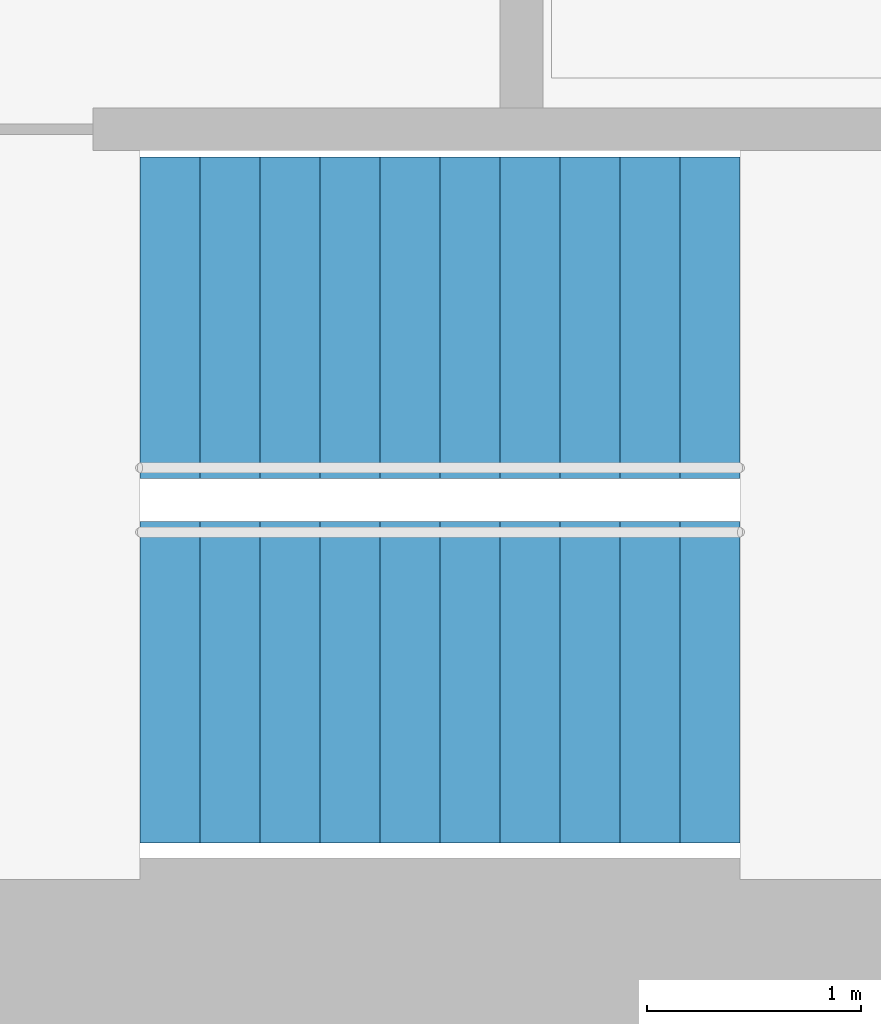
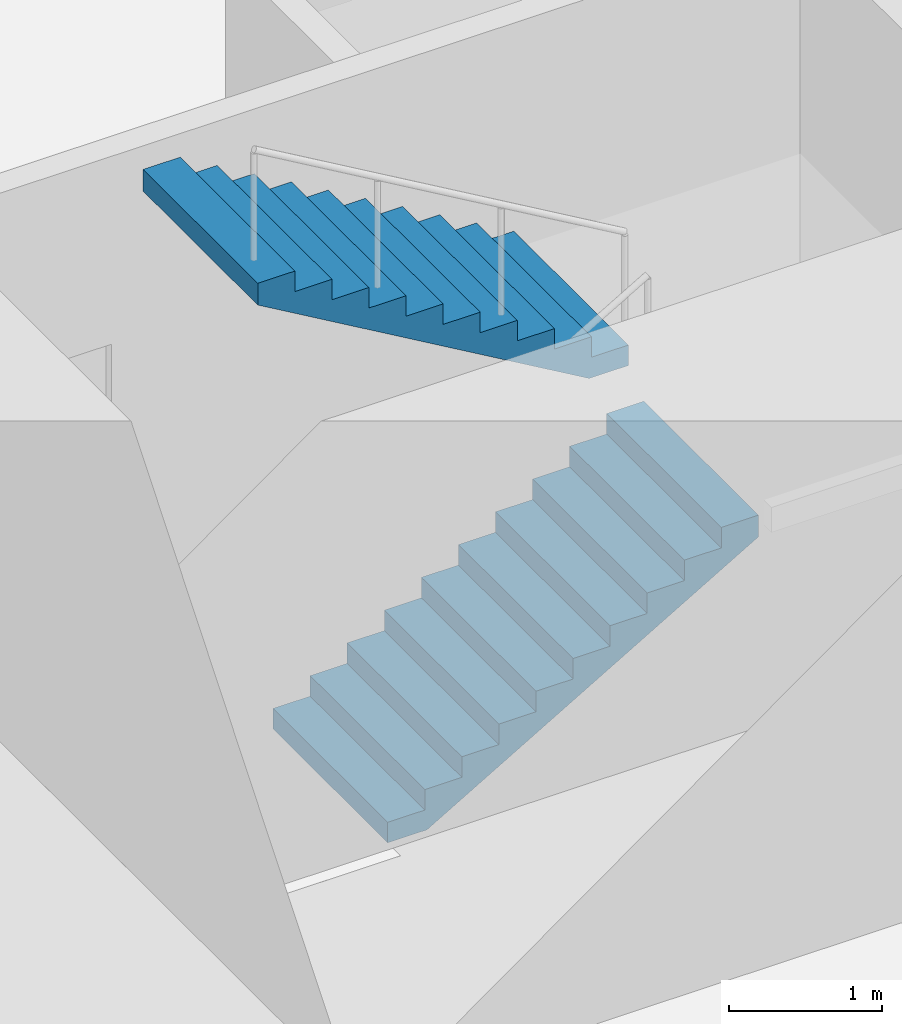
# One storey, part 13 of 15: 2 stair flights, 1 element without a shape of its own.
"""IFC4 building model written with IfcOpenShell, lengths in metres."""

from ifc_helpers import new_model, si_unit, direction, frame, origin, place, context, subcontext, project, spatial, triangles, material, type_object, element, aggregate, save


model = new_model("IFC4")

# Units and contexts
model_context = context("Model", 3, precision=1e-05, world=origin(), true_north=direction((0.0, 1.0)))
body_context = subcontext(model_context, "Body", "Model", "MODEL_VIEW")
ifc_project = project(units=[si_unit("LENGTHUNIT", "METRE"), si_unit("AREAUNIT", "SQUARE_METRE"), si_unit("VOLUMEUNIT", "CUBIC_METRE"), si_unit("PLANEANGLEUNIT", "RADIAN"), si_unit("MASSUNIT", "GRAM", prefix="KILO")], contexts=[model_context])

# Site, building, storey
site_placement = place(None, origin())
site = spatial("IfcSite", under=ifc_project, at=site_placement, CompositionType="ELEMENT")
building_placement = place(site_placement, origin())
building = spatial("IfcBuilding", under=site, at=building_placement, Name="Lantaw Convention Tower", CompositionType="ELEMENT")
storey_placement = place(building_placement, frame((0.0, 0.0, 44.199951171875)))
storey = spatial("IfcBuildingStorey", under=building, at=storey_placement, Name="L08", CompositionType="ELEMENT", Elevation=44.199951171875)

# Stair, stair flights
ifc_material = material(Name="Concrete C35/45", Category="concrete")
stair_type = type_object("IfcStairType", Name="Exit stair 1500 riser 163.64 in 2 flights", PredefinedType="HALF_TURN_STAIR", material=ifc_material)
stair_placement = place(storey_placement, origin())
stair = element("IfcStair", 1, at=stair_placement, inside=storey, type_object=stair_type, Name="Exit stair S1 L08", PredefinedType="HALF_TURN_STAIR")
stair_flight_type = type_object("IfcStairFlightType", Name="Stair flight 1500 riser 163.64", PredefinedType="STRAIGHT", material=ifc_material)
stair_flight_1_placement = place(storey_placement, frame((-10.580078125, -5.97998046875, 0.0), z_axis=(0.0, 0.0, 1.0), x_axis=(1.0, 0.0, 0.0)))
stair_flight_1 = element("IfcStairFlight", 2, at=stair_flight_1_placement, type_object=stair_flight_type, Name="S1 flight 1", NumberOfRisers=11, NumberOfTreads=10, PredefinedType="STRAIGHT", RiserHeight=0.163636364, TreadLength=0.28, context=body_context, shape_type="Tessellation", body=[
    triangles([(0.0, 0.75, 0.0), (0.0, 0.75, 0.163636364), (0.28, 0.75, 0.0), (0.28, 0.75, 0.163636364), (0.28, 0.75, 0.327272728), (0.2970904571225277, 0.75, 0.0), (0.2970904571225277, 0.75, 0.327272728), (0.56, 0.75, 0.1536484344906131), (0.56, 0.75, 0.327272728), (0.56, 0.75, 0.490909092), (0.8400000000000001, 0.75, 0.3172847984906131), (0.8400000000000001, 0.75, 0.490909092), (0.8400000000000001, 0.75, 0.654545456), (1.12, 0.75, 0.4809211624906131), (1.12, 0.75, 0.654545456), (1.12, 0.75, 0.8181818200000001), (1.4000000000000001, 0.75, 0.6445575264906132), (1.4000000000000001, 0.75, 0.8181818200000001), (1.4000000000000001, 0.75, 0.981818184), (1.6800000000000002, 0.75, 0.8081938904906131), (1.6800000000000002, 0.75, 0.981818184), (1.6800000000000002, 0.75, 1.145454548), (1.9600000000000002, 0.75, 0.9718302544906131), (1.9600000000000002, 0.75, 1.145454548), (1.9600000000000002, 0.75, 1.309090912), (2.24, 0.75, 1.135466618490613), (2.24, 0.75, 1.309090912), (2.24, 0.75, 1.472727276), (2.5200000000000005, 0.75, 1.2991029824906133), (2.5200000000000005, 0.75, 1.472727276), (2.5200000000000005, 0.75, 1.6363636400000001), (2.8000000000000003, 0.75, 1.462739346490613), (2.8000000000000003, 0.75, 1.6363636400000001), (0.0, -0.75, 0.0), (0.0, -0.75, 0.163636364), (0.28, -0.75, 0.0), (0.28, -0.75, 0.163636364), (0.28, -0.75, 0.327272728), (0.2970904571225277, -0.75, 0.0), (0.2970904571225277, -0.75, 0.327272728), (0.56, -0.75, 0.1536484344906131), (0.56, -0.75, 0.327272728), (0.56, -0.75, 0.490909092), (0.8400000000000001, -0.75, 0.3172847984906131), (0.8400000000000001, -0.75, 0.490909092), (0.8400000000000001, -0.75, 0.654545456), (1.12, -0.75, 0.4809211624906131), (1.12, -0.75, 0.654545456), (1.12, -0.75, 0.8181818200000001), (1.4000000000000001, -0.75, 0.6445575264906132), (1.4000000000000001, -0.75, 0.8181818200000001), (1.4000000000000001, -0.75, 0.981818184), (1.6800000000000002, -0.75, 0.8081938904906131), (1.6800000000000002, -0.75, 0.981818184), (1.6800000000000002, -0.75, 1.145454548), (1.9600000000000002, -0.75, 0.9718302544906131), (1.9600000000000002, -0.75, 1.145454548), (1.9600000000000002, -0.75, 1.309090912), (2.24, -0.75, 1.135466618490613), (2.24, -0.75, 1.309090912), (2.24, -0.75, 1.472727276), (2.5200000000000005, -0.75, 1.2991029824906133), (2.5200000000000005, -0.75, 1.472727276), (2.5200000000000005, -0.75, 1.6363636400000001), (2.8000000000000003, -0.75, 1.462739346490613), (2.8000000000000003, -0.75, 1.6363636400000001), (0.0, 0.15000000000000002, 0.163636364), (0.0, 0.15000000000000002, 0.0), (0.0, 0.0, 0.163636364), (0.0, 0.0, 0.0), (0.0, -0.15000000000000002, 0.163636364), (0.0, -0.15000000000000002, 0.0), (0.28, 0.15000000000000002, 0.327272728), (0.28, 0.15000000000000002, 0.163636364), (0.28, 0.0, 0.327272728), (0.28, 0.0, 0.163636364), (0.28, -0.15000000000000002, 0.327272728), (0.28, -0.15000000000000002, 0.163636364), (0.56, 0.15000000000000002, 0.490909092), (0.56, 0.15000000000000002, 0.327272728), (0.56, 0.0, 0.490909092), (0.56, 0.0, 0.327272728), (0.56, -0.15000000000000002, 0.490909092), (0.56, -0.15000000000000002, 0.327272728), (0.8400000000000001, 0.15000000000000002, 0.654545456), (0.8400000000000001, 0.15000000000000002, 0.490909092), (0.8400000000000001, 0.0, 0.654545456), (0.8400000000000001, 0.0, 0.490909092), (0.8400000000000001, -0.15000000000000002, 0.654545456), (0.8400000000000001, -0.15000000000000002, 0.490909092), (1.12, 0.15000000000000002, 0.8181818200000001), (1.12, 0.15000000000000002, 0.654545456), (1.12, 0.0, 0.8181818200000001), (1.12, 0.0, 0.654545456), (1.12, -0.15000000000000002, 0.8181818200000001), (1.12, -0.15000000000000002, 0.654545456), (1.4000000000000001, 0.15000000000000002, 0.981818184), (1.4000000000000001, 0.15000000000000002, 0.8181818200000001), (1.4000000000000001, 0.0, 0.981818184), (1.4000000000000001, 0.0, 0.8181818200000001), (1.4000000000000001, -0.15000000000000002, 0.981818184), (1.4000000000000001, -0.15000000000000002, 0.8181818200000001), (1.6800000000000002, 0.15000000000000002, 1.145454548), (1.6800000000000002, 0.15000000000000002, 0.981818184), (1.6800000000000002, 0.0, 1.145454548), (1.6800000000000002, 0.0, 0.981818184), (1.6800000000000002, -0.15000000000000002, 1.145454548), (1.6800000000000002, -0.15000000000000002, 0.981818184), (1.9600000000000002, 0.15000000000000002, 1.309090912), (1.9600000000000002, 0.15000000000000002, 1.145454548), (1.9600000000000002, 0.0, 1.309090912), (1.9600000000000002, 0.0, 1.145454548), (1.9600000000000002, -0.15000000000000002, 1.309090912), (1.9600000000000002, -0.15000000000000002, 1.145454548), (2.24, 0.15000000000000002, 1.472727276), (2.24, 0.15000000000000002, 1.309090912), (2.24, 0.0, 1.472727276), (2.24, 0.0, 1.309090912), (2.24, -0.15000000000000002, 1.472727276), (2.24, -0.15000000000000002, 1.309090912), (2.5200000000000005, 0.15000000000000002, 1.6363636400000001), (2.5200000000000005, 0.15000000000000002, 1.472727276), (2.5200000000000005, 0.0, 1.6363636400000001), (2.5200000000000005, 0.0, 1.472727276), (2.5200000000000005, -0.15000000000000002, 1.6363636400000001), (2.5200000000000005, -0.15000000000000002, 1.472727276), (0.2970904571225277, 0.15000000000000002, 0.327272728), (0.2970904571225277, 0.0, 0.327272728), (0.2970904571225277, -0.15000000000000002, 0.327272728), (2.8000000000000003, 0.15000000000000002, 1.6363636400000001), (2.8000000000000003, 0.0, 1.6363636400000001), (2.8000000000000003, -0.15000000000000002, 1.6363636400000001), (2.8000000000000003, 0.15000000000000002, 1.462739346490613), (2.8000000000000003, 0.0, 1.462739346490613), (2.8000000000000003, -0.15000000000000002, 1.462739346490613), (2.5200000000000005, 0.15000000000000002, 1.2991029824906133), (2.5200000000000005, 0.0, 1.2991029824906133), (2.5200000000000005, -0.15000000000000002, 1.2991029824906133), (2.24, 0.15000000000000002, 1.135466618490613), (2.24, 0.0, 1.135466618490613), (2.24, -0.15000000000000002, 1.135466618490613), (1.9600000000000002, 0.15000000000000002, 0.9718302544906131), (1.9600000000000002, 0.0, 0.9718302544906131), (1.9600000000000002, -0.15000000000000002, 0.9718302544906131), (1.6800000000000002, 0.15000000000000002, 0.8081938904906131), (1.6800000000000002, 0.0, 0.8081938904906131), (1.6800000000000002, -0.15000000000000002, 0.8081938904906131), (1.4000000000000001, 0.15000000000000002, 0.6445575264906132), (1.4000000000000001, 0.0, 0.6445575264906132), (1.4000000000000001, -0.15000000000000002, 0.6445575264906132), (1.12, 0.15000000000000002, 0.4809211624906131), (1.12, 0.0, 0.4809211624906131), (1.12, -0.15000000000000002, 0.4809211624906131), (0.8400000000000001, 0.15000000000000002, 0.3172847984906131), (0.8400000000000001, 0.0, 0.3172847984906131), (0.8400000000000001, -0.15000000000000002, 0.3172847984906131), (0.56, 0.15000000000000002, 0.1536484344906131), (0.56, 0.0, 0.1536484344906131), (0.56, -0.15000000000000002, 0.1536484344906131), (0.2970904571225277, 0.15000000000000002, 0.0), (0.2970904571225277, 0.0, 0.0), (0.2970904571225277, -0.15000000000000002, 0.0), (0.28, 0.15000000000000002, 0.0), (0.28, 0.0, 0.0), (0.28, -0.15000000000000002, 0.0)], [[1, 4, 3], [1, 2, 4], [3, 4, 6], [4, 7, 6], [4, 5, 7], [6, 9, 8], [6, 7, 9], [8, 9, 11], [9, 12, 11], [9, 10, 12], [11, 12, 14], [12, 15, 14], [12, 13, 15], [14, 15, 17], [15, 18, 17], [15, 16, 18], [17, 18, 20], [18, 21, 20], [18, 19, 21], [20, 21, 23], [21, 24, 23], [21, 22, 24], [23, 24, 26], [24, 27, 26], [24, 25, 27], [26, 27, 29], [27, 30, 29], [27, 28, 30], [29, 30, 32], [30, 33, 32], [30, 31, 33], [34, 36, 37], [34, 37, 35], [36, 39, 37], [37, 39, 40], [37, 40, 38], [39, 41, 42], [39, 42, 40], [41, 44, 42], [42, 44, 45], [42, 45, 43], [44, 47, 45], [45, 47, 48], [45, 48, 46], [47, 50, 48], [48, 50, 51], [48, 51, 49], [50, 53, 51], [51, 53, 54], [51, 54, 52], [53, 56, 54], [54, 56, 57], [54, 57, 55], [56, 59, 57], [57, 59, 60], [57, 60, 58], [59, 62, 60], [60, 62, 63], [60, 63, 61], [62, 65, 63], [63, 65, 66], [63, 66, 64], [1, 67, 2], [1, 68, 67], [68, 69, 67], [68, 70, 69], [70, 71, 69], [70, 72, 71], [72, 35, 71], [72, 34, 35], [4, 73, 5], [4, 74, 73], [74, 75, 73], [74, 76, 75], [76, 77, 75], [76, 78, 77], [78, 38, 77], [78, 37, 38], [9, 79, 10], [9, 80, 79], [80, 81, 79], [80, 82, 81], [82, 83, 81], [82, 84, 83], [84, 43, 83], [84, 42, 43], [12, 85, 13], [12, 86, 85], [86, 87, 85], [86, 88, 87], [88, 89, 87], [88, 90, 89], [90, 46, 89], [90, 45, 46], [15, 91, 16], [15, 92, 91], [92, 93, 91], [92, 94, 93], [94, 95, 93], [94, 96, 95], [96, 49, 95], [96, 48, 49], [18, 97, 19], [18, 98, 97], [98, 99, 97], [98, 100, 99], [100, 101, 99], [100, 102, 101], [102, 52, 101], [102, 51, 52], [21, 103, 22], [21, 104, 103], [104, 105, 103], [104, 106, 105], [106, 107, 105], [106, 108, 107], [108, 55, 107], [108, 54, 55], [24, 109, 25], [24, 110, 109], [110, 111, 109], [110, 112, 111], [112, 113, 111], [112, 114, 113], [114, 58, 113], [114, 57, 58], [27, 115, 28], [27, 116, 115], [116, 117, 115], [116, 118, 117], [118, 119, 117], [118, 120, 119], [120, 61, 119], [120, 60, 61], [30, 121, 31], [30, 122, 121], [122, 123, 121], [122, 124, 123], [124, 125, 123], [124, 126, 125], [126, 64, 125], [126, 63, 64], [2, 74, 4], [2, 67, 74], [67, 76, 74], [67, 69, 76], [69, 78, 76], [69, 71, 78], [71, 37, 78], [71, 35, 37], [5, 127, 7], [5, 73, 127], [73, 128, 127], [73, 75, 128], [75, 129, 128], [75, 77, 129], [77, 40, 129], [77, 38, 40], [7, 80, 9], [7, 127, 80], [127, 82, 80], [127, 128, 82], [128, 84, 82], [128, 129, 84], [129, 42, 84], [129, 40, 42], [10, 86, 12], [10, 79, 86], [79, 88, 86], [79, 81, 88], [81, 90, 88], [81, 83, 90], [83, 45, 90], [83, 43, 45], [13, 92, 15], [13, 85, 92], [85, 94, 92], [85, 87, 94], [87, 96, 94], [87, 89, 96], [89, 48, 96], [89, 46, 48], [16, 98, 18], [16, 91, 98], [91, 100, 98], [91, 93, 100], [93, 102, 100], [93, 95, 102], [95, 51, 102], [95, 49, 51], [19, 104, 21], [19, 97, 104], [97, 106, 104], [97, 99, 106], [99, 108, 106], [99, 101, 108], [101, 54, 108], [101, 52, 54], [22, 110, 24], [22, 103, 110], [103, 112, 110], [103, 105, 112], [105, 114, 112], [105, 107, 114], [107, 57, 114], [107, 55, 57], [25, 116, 27], [25, 109, 116], [109, 118, 116], [109, 111, 118], [111, 120, 118], [111, 113, 120], [113, 60, 120], [113, 58, 60], [28, 122, 30], [28, 115, 122], [115, 124, 122], [115, 117, 124], [117, 126, 124], [117, 119, 126], [119, 63, 126], [119, 61, 63], [31, 130, 33], [31, 121, 130], [121, 131, 130], [121, 123, 131], [123, 132, 131], [123, 125, 132], [125, 66, 132], [125, 64, 66], [33, 133, 32], [33, 130, 133], [130, 134, 133], [130, 131, 134], [131, 135, 134], [131, 132, 135], [132, 65, 135], [132, 66, 65], [32, 136, 29], [32, 133, 136], [133, 137, 136], [133, 134, 137], [134, 138, 137], [134, 135, 138], [135, 62, 138], [135, 65, 62], [29, 139, 26], [29, 136, 139], [136, 140, 139], [136, 137, 140], [137, 141, 140], [137, 138, 141], [138, 59, 141], [138, 62, 59], [26, 142, 23], [26, 139, 142], [139, 143, 142], [139, 140, 143], [140, 144, 143], [140, 141, 144], [141, 56, 144], [141, 59, 56], [23, 145, 20], [23, 142, 145], [142, 146, 145], [142, 143, 146], [143, 147, 146], [143, 144, 147], [144, 53, 147], [144, 56, 53], [20, 148, 17], [20, 145, 148], [145, 149, 148], [145, 146, 149], [146, 150, 149], [146, 147, 150], [147, 50, 150], [147, 53, 50], [17, 151, 14], [17, 148, 151], [148, 152, 151], [148, 149, 152], [149, 153, 152], [149, 150, 153], [150, 47, 153], [150, 50, 47], [14, 154, 11], [14, 151, 154], [151, 155, 154], [151, 152, 155], [152, 156, 155], [152, 153, 156], [153, 44, 156], [153, 47, 44], [11, 157, 8], [11, 154, 157], [154, 158, 157], [154, 155, 158], [155, 159, 158], [155, 156, 159], [156, 41, 159], [156, 44, 41], [8, 160, 6], [8, 157, 160], [157, 161, 160], [157, 158, 161], [158, 162, 161], [158, 159, 162], [159, 39, 162], [159, 41, 39], [6, 163, 3], [6, 160, 163], [160, 164, 163], [160, 161, 164], [161, 165, 164], [161, 162, 165], [162, 36, 165], [162, 39, 36], [3, 68, 1], [3, 163, 68], [163, 70, 68], [163, 164, 70], [164, 72, 70], [164, 165, 72], [165, 34, 72], [165, 36, 34]], closed=True),
])
stair_flight_2_placement = place(storey_placement, frame((-7.780029296875, -4.280029296875, 1.800048828125), z_axis=(0.0, 0.0, 1.0), x_axis=(-1.0, 0.0, 0.0)))
stair_flight_2 = element("IfcStairFlight", 3, at=stair_flight_2_placement, type_object=stair_flight_type, Name="S1 flight 2", NumberOfRisers=11, NumberOfTreads=10, PredefinedType="STRAIGHT", RiserHeight=0.163636364, TreadLength=0.28, context=body_context, shape_type="Tessellation", body=[
    triangles([(0.0, 0.75, 0.0), (0.0, 0.75, 0.163636364), (0.28, 0.75, 0.0), (0.28, 0.75, 0.163636364), (0.28, 0.75, 0.327272728), (0.2970904571225277, 0.75, 0.0), (0.2970904571225277, 0.75, 0.327272728), (0.56, 0.75, 0.1536484344906131), (0.56, 0.75, 0.327272728), (0.56, 0.75, 0.490909092), (0.8400000000000001, 0.75, 0.3172847984906131), (0.8400000000000001, 0.75, 0.490909092), (0.8400000000000001, 0.75, 0.654545456), (1.12, 0.75, 0.4809211624906131), (1.12, 0.75, 0.654545456), (1.12, 0.75, 0.8181818200000001), (1.4000000000000001, 0.75, 0.6445575264906132), (1.4000000000000001, 0.75, 0.8181818200000001), (1.4000000000000001, 0.75, 0.981818184), (1.6800000000000002, 0.75, 0.8081938904906131), (1.6800000000000002, 0.75, 0.981818184), (1.6800000000000002, 0.75, 1.145454548), (1.9600000000000002, 0.75, 0.9718302544906131), (1.9600000000000002, 0.75, 1.145454548), (1.9600000000000002, 0.75, 1.309090912), (2.24, 0.75, 1.135466618490613), (2.24, 0.75, 1.309090912), (2.24, 0.75, 1.472727276), (2.5200000000000005, 0.75, 1.2991029824906133), (2.5200000000000005, 0.75, 1.472727276), (2.5200000000000005, 0.75, 1.6363636400000001), (2.8000000000000003, 0.75, 1.462739346490613), (2.8000000000000003, 0.75, 1.6363636400000001), (0.0, -0.75, 0.0), (0.0, -0.75, 0.163636364), (0.28, -0.75, 0.0), (0.28, -0.75, 0.163636364), (0.28, -0.75, 0.327272728), (0.2970904571225277, -0.75, 0.0), (0.2970904571225277, -0.75, 0.327272728), (0.56, -0.75, 0.1536484344906131), (0.56, -0.75, 0.327272728), (0.56, -0.75, 0.490909092), (0.8400000000000001, -0.75, 0.3172847984906131), (0.8400000000000001, -0.75, 0.490909092), (0.8400000000000001, -0.75, 0.654545456), (1.12, -0.75, 0.4809211624906131), (1.12, -0.75, 0.654545456), (1.12, -0.75, 0.8181818200000001), (1.4000000000000001, -0.75, 0.6445575264906132), (1.4000000000000001, -0.75, 0.8181818200000001), (1.4000000000000001, -0.75, 0.981818184), (1.6800000000000002, -0.75, 0.8081938904906131), (1.6800000000000002, -0.75, 0.981818184), (1.6800000000000002, -0.75, 1.145454548), (1.9600000000000002, -0.75, 0.9718302544906131), (1.9600000000000002, -0.75, 1.145454548), (1.9600000000000002, -0.75, 1.309090912), (2.24, -0.75, 1.135466618490613), (2.24, -0.75, 1.309090912), (2.24, -0.75, 1.472727276), (2.5200000000000005, -0.75, 1.2991029824906133), (2.5200000000000005, -0.75, 1.472727276), (2.5200000000000005, -0.75, 1.6363636400000001), (2.8000000000000003, -0.75, 1.462739346490613), (2.8000000000000003, -0.75, 1.6363636400000001), (0.0, 0.15000000000000002, 0.163636364), (0.0, 0.15000000000000002, 0.0), (0.0, 0.0, 0.163636364), (0.0, 0.0, 0.0), (0.0, -0.15000000000000002, 0.163636364), (0.0, -0.15000000000000002, 0.0), (0.28, 0.15000000000000002, 0.327272728), (0.28, 0.15000000000000002, 0.163636364), (0.28, 0.0, 0.327272728), (0.28, 0.0, 0.163636364), (0.28, -0.15000000000000002, 0.327272728), (0.28, -0.15000000000000002, 0.163636364), (0.56, 0.15000000000000002, 0.490909092), (0.56, 0.15000000000000002, 0.327272728), (0.56, 0.0, 0.490909092), (0.56, 0.0, 0.327272728), (0.56, -0.15000000000000002, 0.490909092), (0.56, -0.15000000000000002, 0.327272728), (0.8400000000000001, 0.15000000000000002, 0.654545456), (0.8400000000000001, 0.15000000000000002, 0.490909092), (0.8400000000000001, 0.0, 0.654545456), (0.8400000000000001, 0.0, 0.490909092), (0.8400000000000001, -0.15000000000000002, 0.654545456), (0.8400000000000001, -0.15000000000000002, 0.490909092), (1.12, 0.15000000000000002, 0.8181818200000001), (1.12, 0.15000000000000002, 0.654545456), (1.12, 0.0, 0.8181818200000001), (1.12, 0.0, 0.654545456), (1.12, -0.15000000000000002, 0.8181818200000001), (1.12, -0.15000000000000002, 0.654545456), (1.4000000000000001, 0.15000000000000002, 0.981818184), (1.4000000000000001, 0.15000000000000002, 0.8181818200000001), (1.4000000000000001, 0.0, 0.981818184), (1.4000000000000001, 0.0, 0.8181818200000001), (1.4000000000000001, -0.15000000000000002, 0.981818184), (1.4000000000000001, -0.15000000000000002, 0.8181818200000001), (1.6800000000000002, 0.15000000000000002, 1.145454548), (1.6800000000000002, 0.15000000000000002, 0.981818184), (1.6800000000000002, 0.0, 1.145454548), (1.6800000000000002, 0.0, 0.981818184), (1.6800000000000002, -0.15000000000000002, 1.145454548), (1.6800000000000002, -0.15000000000000002, 0.981818184), (1.9600000000000002, 0.15000000000000002, 1.309090912), (1.9600000000000002, 0.15000000000000002, 1.145454548), (1.9600000000000002, 0.0, 1.309090912), (1.9600000000000002, 0.0, 1.145454548), (1.9600000000000002, -0.15000000000000002, 1.309090912), (1.9600000000000002, -0.15000000000000002, 1.145454548), (2.24, 0.15000000000000002, 1.472727276), (2.24, 0.15000000000000002, 1.309090912), (2.24, 0.0, 1.472727276), (2.24, 0.0, 1.309090912), (2.24, -0.15000000000000002, 1.472727276), (2.24, -0.15000000000000002, 1.309090912), (2.5200000000000005, 0.15000000000000002, 1.6363636400000001), (2.5200000000000005, 0.15000000000000002, 1.472727276), (2.5200000000000005, 0.0, 1.6363636400000001), (2.5200000000000005, 0.0, 1.472727276), (2.5200000000000005, -0.15000000000000002, 1.6363636400000001), (2.5200000000000005, -0.15000000000000002, 1.472727276), (0.2970904571225277, 0.15000000000000002, 0.327272728), (0.2970904571225277, 0.0, 0.327272728), (0.2970904571225277, -0.15000000000000002, 0.327272728), (2.8000000000000003, 0.15000000000000002, 1.6363636400000001), (2.8000000000000003, 0.0, 1.6363636400000001), (2.8000000000000003, -0.15000000000000002, 1.6363636400000001), (2.8000000000000003, 0.15000000000000002, 1.462739346490613), (2.8000000000000003, 0.0, 1.462739346490613), (2.8000000000000003, -0.15000000000000002, 1.462739346490613), (2.5200000000000005, 0.15000000000000002, 1.2991029824906133), (2.5200000000000005, 0.0, 1.2991029824906133), (2.5200000000000005, -0.15000000000000002, 1.2991029824906133), (2.24, 0.15000000000000002, 1.135466618490613), (2.24, 0.0, 1.135466618490613), (2.24, -0.15000000000000002, 1.135466618490613), (1.9600000000000002, 0.15000000000000002, 0.9718302544906131), (1.9600000000000002, 0.0, 0.9718302544906131), (1.9600000000000002, -0.15000000000000002, 0.9718302544906131), (1.6800000000000002, 0.15000000000000002, 0.8081938904906131), (1.6800000000000002, 0.0, 0.8081938904906131), (1.6800000000000002, -0.15000000000000002, 0.8081938904906131), (1.4000000000000001, 0.15000000000000002, 0.6445575264906132), (1.4000000000000001, 0.0, 0.6445575264906132), (1.4000000000000001, -0.15000000000000002, 0.6445575264906132), (1.12, 0.15000000000000002, 0.4809211624906131), (1.12, 0.0, 0.4809211624906131), (1.12, -0.15000000000000002, 0.4809211624906131), (0.8400000000000001, 0.15000000000000002, 0.3172847984906131), (0.8400000000000001, 0.0, 0.3172847984906131), (0.8400000000000001, -0.15000000000000002, 0.3172847984906131), (0.56, 0.15000000000000002, 0.1536484344906131), (0.56, 0.0, 0.1536484344906131), (0.56, -0.15000000000000002, 0.1536484344906131), (0.2970904571225277, 0.15000000000000002, 0.0), (0.2970904571225277, 0.0, 0.0), (0.2970904571225277, -0.15000000000000002, 0.0), (0.28, 0.15000000000000002, 0.0), (0.28, 0.0, 0.0), (0.28, -0.15000000000000002, 0.0)], [[1, 4, 3], [1, 2, 4], [3, 4, 6], [4, 7, 6], [4, 5, 7], [6, 9, 8], [6, 7, 9], [8, 9, 11], [9, 12, 11], [9, 10, 12], [11, 12, 14], [12, 15, 14], [12, 13, 15], [14, 15, 17], [15, 18, 17], [15, 16, 18], [17, 18, 20], [18, 21, 20], [18, 19, 21], [20, 21, 23], [21, 24, 23], [21, 22, 24], [23, 24, 26], [24, 27, 26], [24, 25, 27], [26, 27, 29], [27, 30, 29], [27, 28, 30], [29, 30, 32], [30, 33, 32], [30, 31, 33], [34, 36, 37], [34, 37, 35], [36, 39, 37], [37, 39, 40], [37, 40, 38], [39, 41, 42], [39, 42, 40], [41, 44, 42], [42, 44, 45], [42, 45, 43], [44, 47, 45], [45, 47, 48], [45, 48, 46], [47, 50, 48], [48, 50, 51], [48, 51, 49], [50, 53, 51], [51, 53, 54], [51, 54, 52], [53, 56, 54], [54, 56, 57], [54, 57, 55], [56, 59, 57], [57, 59, 60], [57, 60, 58], [59, 62, 60], [60, 62, 63], [60, 63, 61], [62, 65, 63], [63, 65, 66], [63, 66, 64], [1, 67, 2], [1, 68, 67], [68, 69, 67], [68, 70, 69], [70, 71, 69], [70, 72, 71], [72, 35, 71], [72, 34, 35], [4, 73, 5], [4, 74, 73], [74, 75, 73], [74, 76, 75], [76, 77, 75], [76, 78, 77], [78, 38, 77], [78, 37, 38], [9, 79, 10], [9, 80, 79], [80, 81, 79], [80, 82, 81], [82, 83, 81], [82, 84, 83], [84, 43, 83], [84, 42, 43], [12, 85, 13], [12, 86, 85], [86, 87, 85], [86, 88, 87], [88, 89, 87], [88, 90, 89], [90, 46, 89], [90, 45, 46], [15, 91, 16], [15, 92, 91], [92, 93, 91], [92, 94, 93], [94, 95, 93], [94, 96, 95], [96, 49, 95], [96, 48, 49], [18, 97, 19], [18, 98, 97], [98, 99, 97], [98, 100, 99], [100, 101, 99], [100, 102, 101], [102, 52, 101], [102, 51, 52], [21, 103, 22], [21, 104, 103], [104, 105, 103], [104, 106, 105], [106, 107, 105], [106, 108, 107], [108, 55, 107], [108, 54, 55], [24, 109, 25], [24, 110, 109], [110, 111, 109], [110, 112, 111], [112, 113, 111], [112, 114, 113], [114, 58, 113], [114, 57, 58], [27, 115, 28], [27, 116, 115], [116, 117, 115], [116, 118, 117], [118, 119, 117], [118, 120, 119], [120, 61, 119], [120, 60, 61], [30, 121, 31], [30, 122, 121], [122, 123, 121], [122, 124, 123], [124, 125, 123], [124, 126, 125], [126, 64, 125], [126, 63, 64], [2, 74, 4], [2, 67, 74], [67, 76, 74], [67, 69, 76], [69, 78, 76], [69, 71, 78], [71, 37, 78], [71, 35, 37], [5, 127, 7], [5, 73, 127], [73, 128, 127], [73, 75, 128], [75, 129, 128], [75, 77, 129], [77, 40, 129], [77, 38, 40], [7, 80, 9], [7, 127, 80], [127, 82, 80], [127, 128, 82], [128, 84, 82], [128, 129, 84], [129, 42, 84], [129, 40, 42], [10, 86, 12], [10, 79, 86], [79, 88, 86], [79, 81, 88], [81, 90, 88], [81, 83, 90], [83, 45, 90], [83, 43, 45], [13, 92, 15], [13, 85, 92], [85, 94, 92], [85, 87, 94], [87, 96, 94], [87, 89, 96], [89, 48, 96], [89, 46, 48], [16, 98, 18], [16, 91, 98], [91, 100, 98], [91, 93, 100], [93, 102, 100], [93, 95, 102], [95, 51, 102], [95, 49, 51], [19, 104, 21], [19, 97, 104], [97, 106, 104], [97, 99, 106], [99, 108, 106], [99, 101, 108], [101, 54, 108], [101, 52, 54], [22, 110, 24], [22, 103, 110], [103, 112, 110], [103, 105, 112], [105, 114, 112], [105, 107, 114], [107, 57, 114], [107, 55, 57], [25, 116, 27], [25, 109, 116], [109, 118, 116], [109, 111, 118], [111, 120, 118], [111, 113, 120], [113, 60, 120], [113, 58, 60], [28, 122, 30], [28, 115, 122], [115, 124, 122], [115, 117, 124], [117, 126, 124], [117, 119, 126], [119, 63, 126], [119, 61, 63], [31, 130, 33], [31, 121, 130], [121, 131, 130], [121, 123, 131], [123, 132, 131], [123, 125, 132], [125, 66, 132], [125, 64, 66], [33, 133, 32], [33, 130, 133], [130, 134, 133], [130, 131, 134], [131, 135, 134], [131, 132, 135], [132, 65, 135], [132, 66, 65], [32, 136, 29], [32, 133, 136], [133, 137, 136], [133, 134, 137], [134, 138, 137], [134, 135, 138], [135, 62, 138], [135, 65, 62], [29, 139, 26], [29, 136, 139], [136, 140, 139], [136, 137, 140], [137, 141, 140], [137, 138, 141], [138, 59, 141], [138, 62, 59], [26, 142, 23], [26, 139, 142], [139, 143, 142], [139, 140, 143], [140, 144, 143], [140, 141, 144], [141, 56, 144], [141, 59, 56], [23, 145, 20], [23, 142, 145], [142, 146, 145], [142, 143, 146], [143, 147, 146], [143, 144, 147], [144, 53, 147], [144, 56, 53], [20, 148, 17], [20, 145, 148], [145, 149, 148], [145, 146, 149], [146, 150, 149], [146, 147, 150], [147, 50, 150], [147, 53, 50], [17, 151, 14], [17, 148, 151], [148, 152, 151], [148, 149, 152], [149, 153, 152], [149, 150, 153], [150, 47, 153], [150, 50, 47], [14, 154, 11], [14, 151, 154], [151, 155, 154], [151, 152, 155], [152, 156, 155], [152, 153, 156], [153, 44, 156], [153, 47, 44], [11, 157, 8], [11, 154, 157], [154, 158, 157], [154, 155, 158], [155, 159, 158], [155, 156, 159], [156, 41, 159], [156, 44, 41], [8, 160, 6], [8, 157, 160], [157, 161, 160], [157, 158, 161], [158, 162, 161], [158, 159, 162], [159, 39, 162], [159, 41, 39], [6, 163, 3], [6, 160, 163], [160, 164, 163], [160, 161, 164], [161, 165, 164], [161, 162, 165], [162, 36, 165], [162, 39, 36], [3, 68, 1], [3, 163, 68], [163, 70, 68], [163, 164, 70], [164, 72, 70], [164, 165, 72], [165, 34, 72], [165, 36, 34]], closed=True),
])
aggregate(stair, [stair_flight_1, stair_flight_2])

save(model, "model.ifc")
